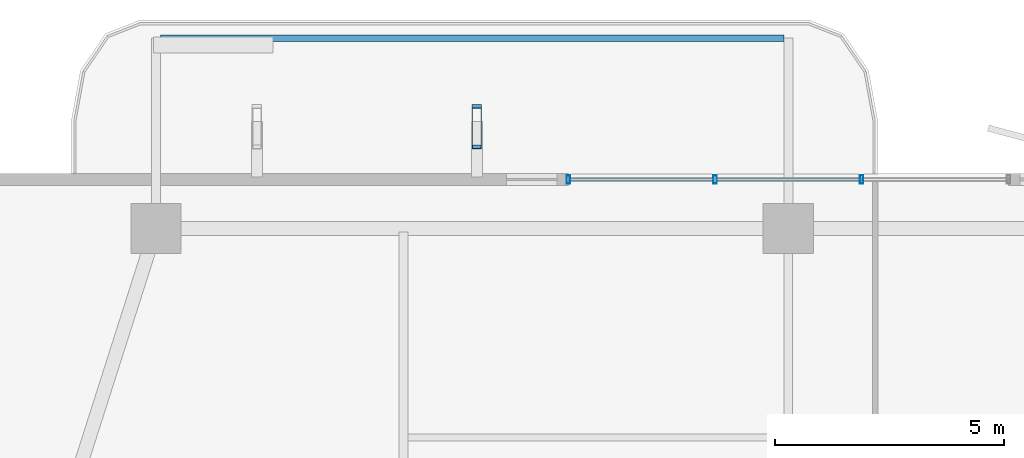
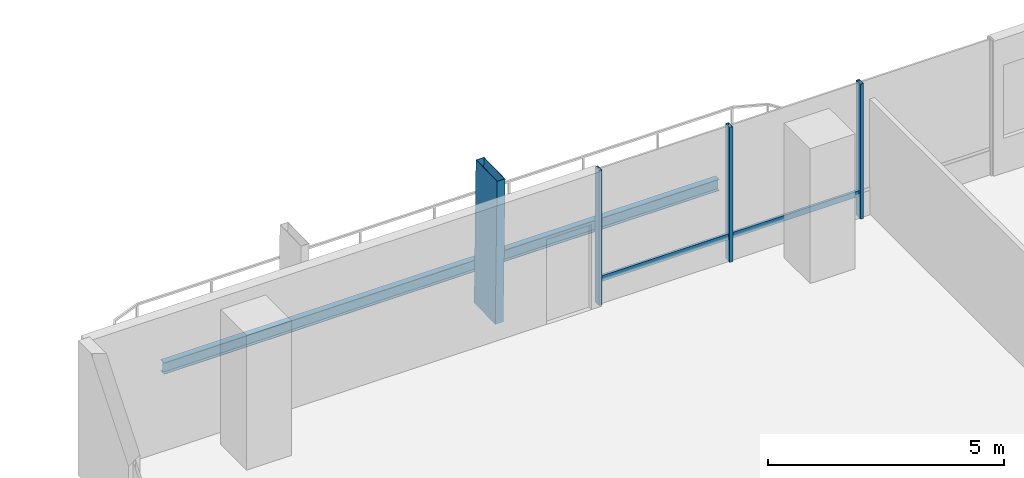
# One storey, part 13 of 24: 6 members, 1 beam, 1 element without a shape of its own.
"""IFC4 building model written with IfcOpenShell, lengths in metres."""

from ifc_helpers import new_model, si_unit, direction, frame, origin, origin_2d, place, context, subcontext, project, spatial, hollow_rectangle, i_section, extrude, material, layer, layer_set, material_profile, profile_set, type_object, element, aggregate, save


model = new_model("IFC4")

# Units and contexts
model_context = context("Model", 3, precision=1e-05, world=origin(), true_north=direction((0.0, 1.0)))
body_context = subcontext(model_context, "Body", "Model", "MODEL_VIEW")
ifc_project = project(units=[si_unit("LENGTHUNIT", "METRE"), si_unit("AREAUNIT", "SQUARE_METRE"), si_unit("VOLUMEUNIT", "CUBIC_METRE"), si_unit("PLANEANGLEUNIT", "RADIAN"), si_unit("MASSUNIT", "GRAM", prefix="KILO")], contexts=[model_context])

# Site, building, storey
site_placement = place(None, origin())
site = spatial("IfcSite", under=ifc_project, at=site_placement, CompositionType="ELEMENT")
building_placement = place(site_placement, origin())
building = spatial("IfcBuilding", under=site, at=building_placement, Name="Belovzor Exchange Tower", CompositionType="ELEMENT")
storey_placement = place(building_placement, frame((0.0, 0.0, 168.300048828125)))
storey = spatial("IfcBuildingStorey", under=building, at=storey_placement, Name="L41", CompositionType="ELEMENT", Elevation=168.300048828125)

# Beam
ifc_material_1 = material(Name="Steel S355", Category="steel")
ifc_material_profile_1 = material_profile(ifc_material_1, i_section(OverallWidth=0.14990234375, OverallDepth=0.300048828125, WebThickness=0.007080078125, FlangeThickness=0.0107421875, at=origin_2d()))
ifc_profile_set_1 = profile_set([ifc_material_profile_1], Name="Steel S355")
beam_type = type_object("IfcBeamType", Name="Planted Balcony Fascia Edge Beam IPE 300", PredefinedType="BEAM", material=ifc_profile_set_1)
beam_placement = place(storey_placement, frame((28.699951171875, 56.052978515625, -0.405029296875), z_axis=(-1.0, 0.0, 0.0), x_axis=(0.0, -1.0, 0.0)))
element("IfcBeam", 1, at=beam_placement, inside=storey, type_object=beam_type, Name="BC-300 Planted Balcony Fascia Edge Beam IPE 300", PredefinedType="BEAM", context=body_context, shape_type="SweptSolid", body=[
    extrude(i_section(OverallWidth=0.14990234375, OverallDepth=0.300048828125, WebThickness=0.007080078125, FlangeThickness=0.0107421875, at=origin_2d()), origin(), (0.0, 0.0, 1.0), 13.599853515625),
])

# Member
ifc_material_2 = material(Name="Extruded Architectural Terracotta on Steel S355 Carrier", Category="masonry")
ifc_material_profile_2 = material_profile(ifc_material_2, hollow_rectangle(XDim=0.199951171875, YDim=0.89990234375, WallThickness=0.011962890625, at=origin_2d()))
ifc_profile_set_2 = profile_set([ifc_material_profile_2], Name="Extruded Architectural Terracotta on Steel S355 Carrier")
member_type_1 = type_object("IfcMemberType", Name="Sweeping Terracotta Baguette Fin Assembly 1250", PredefinedType="USERDEFINED", material=ifc_profile_set_2)
member_1_placement = place(storey_placement, frame((22.0, 54.159912109375, -0.255126953125), z_axis=(0.0, -0.0210239979, 0.999778971329), x_axis=(1.0, 0.0, 0.0)))
element("IfcMember", 2, at=member_1_placement, inside=storey, type_object=member_type_1, Name="FIN-TC125 Terracotta Facade Fin L41 N2", ObjectType="FIN", PredefinedType="USERDEFINED", context=body_context, shape_type="SweptSolid", body=[
    extrude(hollow_rectangle(XDim=0.199951171875, YDim=0.89990234375, WallThickness=0.011962890625, at=origin_2d()), origin(), (0.0, 0.0, 1.0), 3.750732421875),
])

# Curtain wall, members
ifc_material_3 = material(Name="Anodised Aluminium Framing", Category="aluminium")
ifc_layer = layer(ifc_material_3, 0.179931640625)
ifc_layer_set = layer_set([ifc_layer], Name="Anodised Aluminium Framing")
curtain_wall_type = type_object("IfcCurtainWallType", Name="Recessed Loggia Low-Iron Triple-Glazed Curtain Wall", PredefinedType="NOTDEFINED", material=ifc_layer_set)
curtain_wall_placement = place(storey_placement, origin())
curtain_wall = element("IfcCurtainWall", 3, at=curtain_wall_placement, inside=storey, type_object=curtain_wall_type, Name="CW3 Recessed Loggia Low-Iron Triple-Glazed Curtain Wall L41", PredefinedType="NOTDEFINED")
ifc_material_4 = material(Name="Steel S355", Category="steel")
ifc_material_profile_3 = material_profile(ifc_material_4, hollow_rectangle(XDim=0.074951171875, YDim=0.179931640625, WallThickness=0.0048828125, at=origin_2d()))
ifc_profile_set_3 = profile_set([ifc_material_profile_3], Name="Steel S355")
member_type_2 = type_object("IfcMemberType", Name="Thermally Broken Curtain Wall Mullion 180x75", PredefinedType="MULLION", material=ifc_profile_set_3)
member_2_placement = place(storey_placement, frame((24.0, 52.969970703125, 0.0), z_axis=(0.0, 0.0, 1.0), x_axis=(1.0, 0.0, 0.0)))
member_2 = element("IfcMember", 4, at=member_2_placement, type_object=member_type_2, Name="CW-M180 Curtain Wall Mullion 1", PredefinedType="MULLION", context=body_context, shape_type="SweptSolid", body=[
    extrude(hollow_rectangle(XDim=0.074951171875, YDim=0.179931640625, WallThickness=0.0048828125, at=origin_2d()), origin(), (0.0, 0.0, 1.0), 3.494873046875),
])
member_3_placement = place(storey_placement, frame((27.199951171875, 52.969970703125, 0.0), z_axis=(0.0, 0.0, 1.0), x_axis=(1.0, 0.0, 0.0)))
member_3 = element("IfcMember", 5, at=member_3_placement, type_object=member_type_2, Name="CW-M180 Curtain Wall Mullion 2", PredefinedType="MULLION", context=body_context, shape_type="SweptSolid", body=[
    extrude(hollow_rectangle(XDim=0.074951171875, YDim=0.179931640625, WallThickness=0.0048828125, at=origin_2d()), origin(), (0.0, 0.0, 1.0), 3.494873046875),
])
member_4_placement = place(storey_placement, frame((30.39990234375, 52.969970703125, 0.0), z_axis=(0.0, 0.0, 1.0), x_axis=(1.0, 0.0, 0.0)))
member_4 = element("IfcMember", 6, at=member_4_placement, type_object=member_type_2, Name="CW-M180 Curtain Wall Mullion 3", PredefinedType="MULLION", context=body_context, shape_type="SweptSolid", body=[
    extrude(hollow_rectangle(XDim=0.074951171875, YDim=0.179931640625, WallThickness=0.0048828125, at=origin_2d()), origin(), (0.0, 0.0, 1.0), 3.494873046875),
])
ifc_material_5 = material(Name="Steel S355", Category="steel")
ifc_material_profile_4 = material_profile(ifc_material_5, hollow_rectangle(XDim=0.06005859375, YDim=0.14990234375, WallThickness=0.00390625, at=origin_2d()))
ifc_profile_set_4 = profile_set([ifc_material_profile_4], Name="Steel S355")
member_type_3 = type_object("IfcMemberType", Name="Thermally Broken Curtain Wall Transom 150x60", PredefinedType="USERDEFINED", material=ifc_profile_set_4)
member_5_placement = place(storey_placement, frame((24.008056640625, 52.969970703125, 0.62890625), z_axis=(1.0, 0.0, 0.0), x_axis=(0.0, 1.0, 0.0)))
member_5 = element("IfcMember", 7, at=member_5_placement, type_object=member_type_3, Name="CW-T150 Curtain Wall Transom 1", ObjectType="TRANSOM", PredefinedType="USERDEFINED", context=body_context, shape_type="SweptSolid", body=[
    extrude(hollow_rectangle(XDim=0.06005859375, YDim=0.14990234375, WallThickness=0.00390625, at=origin_2d()), origin(), (0.0, 0.0, 1.0), 3.183837890625),
])
member_6_placement = place(storey_placement, frame((27.2080078125, 52.969970703125, 0.62890625), z_axis=(1.0, 0.0, 0.0), x_axis=(0.0, 1.0, 0.0)))
member_6 = element("IfcMember", 8, at=member_6_placement, type_object=member_type_3, Name="CW-T150 Curtain Wall Transom 2", ObjectType="TRANSOM", PredefinedType="USERDEFINED", context=body_context, shape_type="SweptSolid", body=[
    extrude(hollow_rectangle(XDim=0.06005859375, YDim=0.14990234375, WallThickness=0.00390625, at=origin_2d()), origin(), (0.0, 0.0, 1.0), 3.18408203125),
])
aggregate(curtain_wall, [member_2, member_3, member_4, member_5, member_6])

save(model, "model.ifc")
